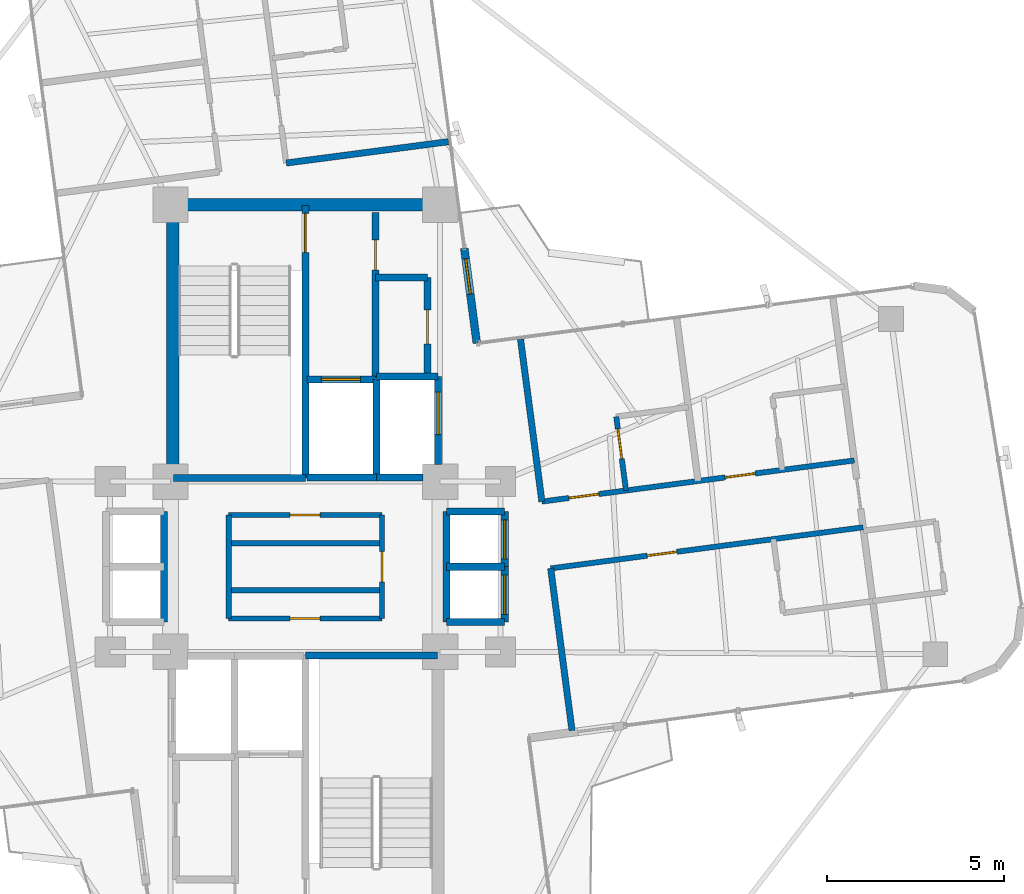
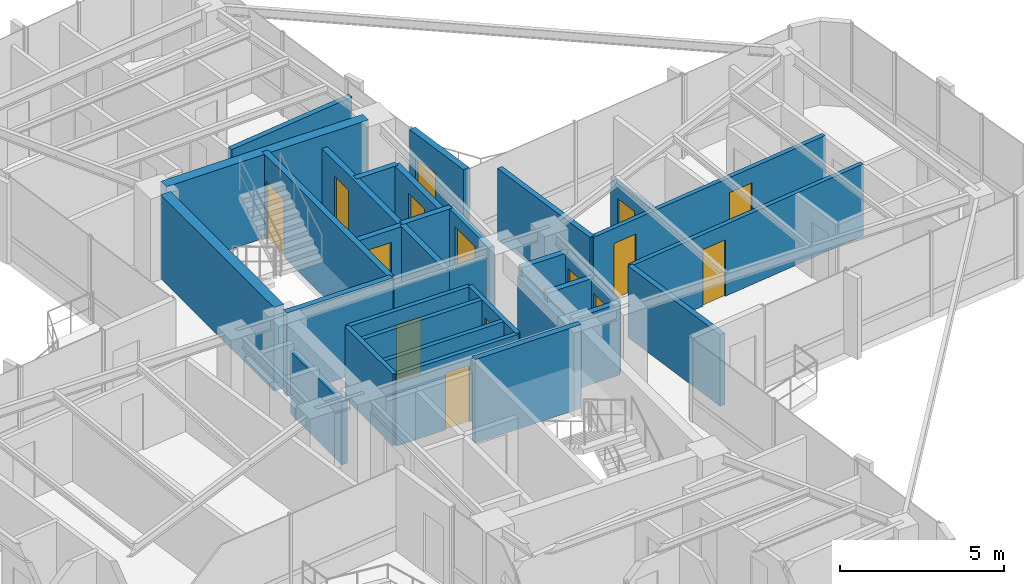
# One storey, part 20 of 22: 34 walls, 15 doors, 15 openings.
"""IFC4 building model written with IfcOpenShell, lengths in metres."""

from ifc_helpers import new_model, si_unit, direction, frame, frame_2d, origin, origin_2d, place, context, subcontext, project, spatial, rectangle, extrude, source, transform, mapped, material, layer, layer_set, type_object, element, fill, save


model = new_model("IFC4")

# Units and contexts
model_context = context("Model", 3, precision=1e-05, world=origin(), true_north=direction((0.0, 1.0)))
body_context = subcontext(model_context, "Body", "Model", "MODEL_VIEW")
ifc_project = project(units=[si_unit("LENGTHUNIT", "METRE"), si_unit("AREAUNIT", "SQUARE_METRE"), si_unit("VOLUMEUNIT", "CUBIC_METRE"), si_unit("PLANEANGLEUNIT", "RADIAN"), si_unit("MASSUNIT", "GRAM", prefix="KILO")], contexts=[model_context])

# Site, building, storey
site_placement = place(None, origin())
site = spatial("IfcSite", under=ifc_project, at=site_placement, CompositionType="ELEMENT")
building_placement = place(site_placement, origin())
building = spatial("IfcBuilding", under=site, at=building_placement, Name="Sahyath Konkavel Grand Hotel", CompositionType="ELEMENT")
storey_placement = place(building_placement, frame((0.0, 0.0, 247.85009765625)))
storey = spatial("IfcBuildingStorey", under=building, at=storey_placement, Name="L69", CompositionType="ELEMENT", Elevation=247.85009765625)

# Walls
ifc_material_1 = material(Name="Concrete C40/50", Category="concrete")
ifc_layer_1 = layer(ifc_material_1, 0.35009765625)
ifc_layer_set_1 = layer_set([ifc_layer_1], Name="Concrete C40/50")
wall_type_1 = type_object("IfcWallType", Name="CWALL-350", PredefinedType="SHEAR", material=ifc_layer_set_1)
wall_1_placement = place(storey_placement, frame((-3.550048828125, 10.199951171875, 0.0), z_axis=(0.0, 0.0, 1.0), x_axis=(1.0, 0.0, 0.0)))
element("IfcWall", 1, at=wall_1_placement, inside=storey, type_object=wall_type_1, Name="L69 North Core Shear Wall N", PredefinedType="SHEAR", context=body_context, shape_type="SweptSolid", body=[
    extrude(rectangle(XDim=7.10009765625, YDim=0.35009765625, at=frame_2d((3.550048828125, 0.0))), origin(), (0.0, 0.0, 1.0), 3.10986328125),
])
wall_2_placement = place(storey_placement, frame((-3.739990234375, 2.85009765625, 0.0), z_axis=(0.0, 0.0, 1.0), x_axis=(0.0, 1.0, 0.0)))
element("IfcWall", 2, at=wall_2_placement, inside=storey, type_object=wall_type_1, Name="L69 North Core Shear Wall W", PredefinedType="SHEAR", context=body_context, shape_type="SweptSolid", body=[
    extrude(rectangle(XDim=6.89990234375, YDim=0.35009765625, at=frame_2d((3.449951171875, 0.0))), origin(), (0.0, 0.0, 1.0), 3.10986328125),
])

# Wall, opening, door
ifc_material_2 = material(Name="Warm Buff Sandstone Insulated Concrete C40/50", Category="masonry")
ifc_layer_2 = layer(ifc_material_2, 0.219970703125)
ifc_layer_set_2 = layer_set([ifc_layer_2], Name="Warm Buff Sandstone Insulated Concrete C40/50")
wall_type_2 = type_object("IfcWallType", Name="WLL-BALC-THRESH", PredefinedType="STANDARD", material=ifc_layer_set_2)
wall_3_placement = place(storey_placement, frame((4.832275390625, 6.297607421875, 0.0), z_axis=(0.0, 0.0, 1.0), x_axis=(-0.130475563272, 0.991451525486, 0.0)))
wall_3 = element("IfcWall", 3, at=wall_3_placement, inside=storey, type_object=wall_type_2, Name="L69 Winter-Garden Threshold Wall 8", PredefinedType="STANDARD", context=body_context, shape_type="SweptSolid", body=[
    extrude(rectangle(XDim=2.7001953125, YDim=0.219970703125, at=frame_2d((1.35009765625, 0.0))), origin(), (0.0, 0.0, 1.0), 3.10986328125),
])
opening_1_placement = place(wall_3_placement, frame((1.39990234375, 0.0, 0.0)))
opening_1 = element("IfcOpeningElement", 4, at=opening_1_placement, cuts=wall_3, Name="Opening D-TR1", PredefinedType="OPENING", context=body_context, shape_type="SweptSolid", body=[
    extrude(rectangle(XDim=1.0, YDim=2.199951171875, at=frame_2d((0.5, 1.10009765625))), frame((0.0, 0.1201171875, 0.0), z_axis=(0.0, -1.0, 0.0), x_axis=(1.0, 0.0, 0.0)), (0.0, 0.0, 1.0), 0.239990234375),
])
ifc_material_3 = material(Name="Anodised Bronze Aluminium & Low-E Glazing", Category="aluminium")
door_type_1 = type_object("IfcDoorType", Name="DR-TERRACE-1000", OperationType="NOTDEFINED", PredefinedType="DOOR", material=ifc_material_3)
shared_shape_1 = source(origin(), body_context, "Body", "SweptSolid", [
    extrude(rectangle(XDim=1.0, YDim=0.050048828125, at=origin_2d()), origin(), (0.0, 0.0, 1.0), 2.199951171875),
])
door_1_placement = place(opening_1_placement, frame((0.5, 0.0, 0.0)))
door_1 = element("IfcDoor", 5, at=door_1_placement, inside=storey, type_object=door_type_1, Name="L69 Winter-Garden Terrace Door 8", OperationType="SINGLE_SWING_LEFT", OverallHeight=2.199951171875, OverallWidth=1.0, PredefinedType="DOOR", context=body_context, shape_type="MappedRepresentation", body=[
    mapped(shared_shape_1, transform((0.0, 0.0, 0.0), scale=1.0)),
])
fill(opening_1, door_1)

ifc_layer_3 = layer(ifc_material_1, 0.199951171875)
ifc_layer_set_3 = layer_set([ifc_layer_3], Name="Concrete C40/50")
wall_type_3 = type_object("IfcWallType", Name="WLL-CORE-200", PredefinedType="SOLIDWALL", material=ifc_layer_set_3)
wall_4_placement = place(storey_placement, frame((0.0, 2.5, 0.0), z_axis=(0.0, 0.0, 1.0), x_axis=(0.0, 1.0, 0.0)))
wall_4 = element("IfcWall", 6, at=wall_4_placement, inside=storey, type_object=wall_type_3, Name="L69 Stair ST-1 Shaft Wall E", PredefinedType="SOLIDWALL", context=body_context, shape_type="SweptSolid", body=[
    extrude(rectangle(XDim=7.679931640625, YDim=0.199951171875, at=frame_2d((3.83984375, 0.0))), origin(), (0.0, 0.0, 1.0), 3.10986328125),
])
opening_2_placement = place(wall_4_placement, frame((6.360107421875, 0.0, 0.0)))
opening_2 = element("IfcOpeningElement", 7, at=opening_2_placement, cuts=wall_4, Name="Opening D-F12B", PredefinedType="OPENING", context=body_context, shape_type="SweptSolid", body=[
    extrude(rectangle(XDim=1.10009765625, YDim=2.14990234375, at=frame_2d((0.550048828125, 1.074951171875))), frame((0.0, 0.10986328125, 0.0), z_axis=(0.0, -1.0, 0.0), x_axis=(1.0, 0.0, 0.0)), (0.0, 0.0, 1.0), 0.219970703125),
])
ifc_material_4 = material(Name="Steel E350 Smokeproof Fire Door", Category="steel")
door_type_2 = type_object("IfcDoorType", Name="DR-FD120-1100", OperationType="NOTDEFINED", PredefinedType="DOOR", material=ifc_material_4)
shared_shape_2 = source(origin(), body_context, "Body", "SweptSolid", [
    extrude(rectangle(XDim=1.10009765625, YDim=0.050048828125, at=origin_2d()), origin(), (0.0, 0.0, 1.0), 2.14990234375),
])
door_2_placement = place(opening_2_placement, frame((0.550048828125, 0.0, 0.0)))
door_2 = element("IfcDoor", 8, at=door_2_placement, inside=storey, type_object=door_type_2, Name="L69 Stair ST-1 Fire Door", OperationType="SINGLE_SWING_LEFT", OverallHeight=2.14990234375, OverallWidth=1.10009765625, PredefinedType="DOOR", context=body_context, shape_type="MappedRepresentation", body=[
    mapped(shared_shape_2, transform((0.0, 0.0, 0.0), scale=1.0)),
])
fill(opening_2, door_2)

# Walls
for number, where, z_axis, x_axis, name in (
    (9, (-3.719970703125, 2.5, 0.0), (0.0, 0.0, 1.0), (1.0, 0.0, 0.0), "L69 Stair ST-1 Shaft Wall S"),
    (10, (0.0, -2.5, 0.0), (0.0, 0.0, 1.0), (1.0, 0.0, 0.0), "L69 Stair ST-2 Shaft Wall N"),
):
    element("IfcWall", number, at=place(storey_placement, frame(where, z_axis=z_axis, x_axis=x_axis)), inside=storey, type_object=wall_type_3, Name=name, PredefinedType="SOLIDWALL", context=body_context, shape_type="SweptSolid", body=[
        extrude(rectangle(XDim=3.719970703125, YDim=0.199951171875, at=frame_2d((1.85986328125, 0.0))), origin(), (0.0, 0.0, 1.0), 3.10986328125),
    ])

# Wall, opening, door
wall_5_placement = place(storey_placement, frame((1.97998046875, 5.320068359375, 0.0), z_axis=(0.0, 0.0, 1.0), x_axis=(0.0, 1.0, 0.0)))
wall_5 = element("IfcWall", 11, at=wall_5_placement, inside=storey, type_object=wall_type_3, Name="L69 North Firefighting Lobby Wall E", PredefinedType="SOLIDWALL", context=body_context, shape_type="SweptSolid", body=[
    extrude(rectangle(XDim=4.659912109375, YDim=0.199951171875, at=frame_2d((2.330078125, 0.0))), origin(), (0.0, 0.0, 1.0), 2.659912109375),
])
opening_3_placement = place(wall_5_placement, frame((3.0400390625, 0.0, 0.0)))
opening_3 = element("IfcOpeningElement", 12, at=opening_3_placement, cuts=wall_5, Name="Opening D-F12D", PredefinedType="OPENING", context=body_context, shape_type="SweptSolid", body=[
    extrude(rectangle(XDim=0.85009765625, YDim=2.10009765625, at=frame_2d((0.425048828125, 1.050048828125))), frame((0.0, 0.10986328125, 0.0), z_axis=(0.0, -1.0, 0.0), x_axis=(1.0, 0.0, 0.0)), (0.0, 0.0, 1.0), 0.219970703125),
])
ifc_material_5 = material(Name="Steel E350 Core Fire Door", Category="steel")
door_type_3 = type_object("IfcDoorType", Name="DR-FD120-850", OperationType="NOTDEFINED", PredefinedType="DOOR", material=ifc_material_5)
shared_shape_3 = source(origin(), body_context, "Body", "SweptSolid", [
    extrude(rectangle(XDim=0.85009765625, YDim=0.050048828125, at=origin_2d()), origin(), (0.0, 0.0, 1.0), 2.10009765625),
])
door_3_placement = place(opening_3_placement, frame((0.425048828125, 0.0, 0.0)))
door_3 = element("IfcDoor", 13, at=door_3_placement, inside=storey, type_object=door_type_3, Name="L69 North Firefighting Lobby Door", OperationType="SINGLE_SWING_LEFT", OverallHeight=2.10009765625, OverallWidth=0.85009765625, PredefinedType="DOOR", context=body_context, shape_type="MappedRepresentation", body=[
    mapped(shared_shape_3, transform((0.0, 0.0, 0.0), scale=1.0)),
])
fill(opening_3, door_3)

# Walls
wall_6_placement = place(storey_placement, frame((2.0, 2.5, 0.0), z_axis=(0.0, 0.0, 1.0), x_axis=(0.0, 1.0, 0.0)))
element("IfcWall", 14, at=wall_6_placement, inside=storey, type_object=wall_type_3, Name="L69 Partition SH-FFL1-E", PredefinedType="SOLIDWALL", context=body_context, shape_type="SweptSolid", body=[
    extrude(rectangle(XDim=2.780029296875, YDim=0.199951171875, at=frame_2d((1.39013671875, 0.0))), origin(), (0.0, 0.0, 1.0), 2.659912109375),
])
wall_7_placement = place(storey_placement, frame((0.050048828125, 2.52001953125, 0.0), z_axis=(0.0, 0.0, 1.0), x_axis=(1.0, 0.0, 0.0)))
element("IfcWall", 15, at=wall_7_placement, inside=storey, type_object=wall_type_3, Name="L69 Partition SH-FFL1-S", PredefinedType="SOLIDWALL", context=body_context, shape_type="SweptSolid", body=[
    extrude(rectangle(XDim=1.949951171875, YDim=0.199951171875, at=frame_2d((0.97509765625, 0.0))), origin(), (0.0, 0.0, 1.0), 2.659912109375),
])

# Wall, opening, door
wall_8_placement = place(storey_placement, frame((0.050048828125, 5.280029296875, 0.0), z_axis=(0.0, 0.0, 1.0), x_axis=(1.0, 0.0, 0.0)))
wall_8 = element("IfcWall", 16, at=wall_8_placement, inside=storey, type_object=wall_type_3, Name="L69 Partition SH-FFL1-N", PredefinedType="SOLIDWALL", context=body_context, shape_type="SweptSolid", body=[
    extrude(rectangle(XDim=1.929931640625, YDim=0.199951171875, at=frame_2d((0.96484375, 0.0))), origin(), (0.0, 0.0, 1.0), 2.659912109375),
])
opening_4_placement = place(wall_8_placement, frame((0.39990234375, 0.0, 0.0)))
opening_4 = element("IfcOpeningElement", 17, at=opening_4_placement, cuts=wall_8, Name="Opening LD-11", PredefinedType="OPENING", context=body_context, shape_type="SweptSolid", body=[
    extrude(rectangle(XDim=1.10009765625, YDim=2.199951171875, at=frame_2d((0.550048828125, 1.10009765625))), frame((0.0, 0.10986328125, 0.0), z_axis=(0.0, -1.0, 0.0), x_axis=(1.0, 0.0, 0.0)), (0.0, 0.0, 1.0), 0.219970703125),
])
ifc_material_6 = material(Name="Bronze Lift Landing Door 1100")
door_type_4 = type_object("IfcDoorType", Name="DR-LIFT-1100", OperationType="DOUBLE_DOOR_SLIDING", PredefinedType="DOOR", material=ifc_material_6)
shared_shape_4 = source(origin(), body_context, "Body", "SweptSolid", [
    extrude(rectangle(XDim=1.10009765625, YDim=0.050048828125, at=origin_2d()), origin(), (0.0, 0.0, 1.0), 2.199951171875),
])
door_4_placement = place(opening_4_placement, frame((0.550048828125, 0.0, 0.0)))
door_4 = element("IfcDoor", 18, at=door_4_placement, inside=storey, type_object=door_type_4, Name="L69 Lift FFL-1 Landing Door", OperationType="DOUBLE_DOOR_SLIDING", OverallHeight=2.199951171875, OverallWidth=1.10009765625, PredefinedType="DOOR", context=body_context, shape_type="MappedRepresentation", body=[
    mapped(shared_shape_4, transform((0.0, 0.0, 0.0), scale=1.0)),
])
fill(opening_4, door_4)

# Walls
wall_9_placement = place(storey_placement, frame((2.0, 2.52001953125, 0.0), z_axis=(0.0, 0.0, 1.0), x_axis=(1.0, 0.0, 0.0)))
element("IfcWall", 19, at=wall_9_placement, inside=storey, type_object=wall_type_3, Name="L69 Partition SH-SVL1-S", PredefinedType="SOLIDWALL", context=body_context, shape_type="SweptSolid", body=[
    extrude(rectangle(XDim=1.320068359375, YDim=0.199951171875, at=frame_2d((0.66015625, 0.0))), origin(), (0.0, 0.0, 1.0), 2.659912109375),
])
wall_10_placement = place(storey_placement, frame((2.0, 5.360107421875, 0.0), z_axis=(0.0, 0.0, 1.0), x_axis=(1.0, 0.0, 0.0)))
element("IfcWall", 20, at=wall_10_placement, inside=storey, type_object=wall_type_3, Name="L69 Partition SH-SVL1-N", PredefinedType="SOLIDWALL", context=body_context, shape_type="SweptSolid", body=[
    extrude(rectangle(XDim=1.739990234375, YDim=0.199951171875, at=frame_2d((0.8701171875, 0.0))), origin(), (0.0, 0.0, 1.0), 2.659912109375),
])

# Wall, opening, door
wall_11_placement = place(storey_placement, frame((3.739990234375, 2.8798828125, 0.0), z_axis=(0.0, 0.0, 1.0), x_axis=(0.0, 1.0, 0.0)))
wall_11 = element("IfcWall", 21, at=wall_11_placement, inside=storey, type_object=wall_type_3, Name="L69 Partition SH-SVL1-E", PredefinedType="SOLIDWALL", context=body_context, shape_type="SweptSolid", body=[
    extrude(rectangle(XDim=2.480224609375, YDim=0.199951171875, at=frame_2d((1.240234375, 0.0))), origin(), (0.0, 0.0, 1.0), 2.659912109375),
])
opening_5_placement = place(wall_11_placement, frame((0.840087890625, 0.0, 0.0)))
opening_5 = element("IfcOpeningElement", 22, at=opening_5_placement, cuts=wall_11, Name="Opening LD-12", PredefinedType="OPENING", context=body_context, shape_type="SweptSolid", body=[
    extrude(rectangle(XDim=1.199951171875, YDim=2.199951171875, at=frame_2d((0.60009765625, 1.10009765625))), frame((0.0, 0.10986328125, 0.0), z_axis=(0.0, -1.0, 0.0), x_axis=(1.0, 0.0, 0.0)), (0.0, 0.0, 1.0), 0.219970703125),
])
ifc_material_7 = material(Name="Stainless Steel Lift Landing Door 1200", Category="steel")
door_type_5 = type_object("IfcDoorType", Name="DR-LIFT-1200", OperationType="DOUBLE_DOOR_SLIDING", PredefinedType="DOOR", material=ifc_material_7)
shared_shape_5 = source(origin(), body_context, "Body", "SweptSolid", [
    extrude(rectangle(XDim=1.199951171875, YDim=0.050048828125, at=origin_2d()), origin(), (0.0, 0.0, 1.0), 2.199951171875),
])
door_5_placement = place(opening_5_placement, frame((0.60009765625, 0.0, 0.0)))
door_5 = element("IfcDoor", 23, at=door_5_placement, inside=storey, type_object=door_type_5, Name="L69 Service Lift SVL-1 Landing Door", OperationType="DOUBLE_DOOR_SLIDING", OverallHeight=2.199951171875, OverallWidth=1.199951171875, PredefinedType="DOOR", context=body_context, shape_type="MappedRepresentation", body=[
    mapped(shared_shape_5, transform((0.0, 0.0, 0.0), scale=1.0)),
])
fill(opening_5, door_5)

# Walls
wall_12_placement = place(storey_placement, frame((3.97998046875, -1.56005859375, 0.0), z_axis=(0.0, 0.0, 1.0), x_axis=(0.0, 1.0, 0.0)))
element("IfcWall", 24, at=wall_12_placement, inside=storey, type_object=wall_type_3, Name="L69 Partition SH-PL56-W", PredefinedType="SOLIDWALL", context=body_context, shape_type="SweptSolid", body=[
    extrude(rectangle(XDim=3.1201171875, YDim=0.199951171875, at=frame_2d((1.56005859375, 0.0))), origin(), (0.0, 0.0, 1.0), 2.329833984375),
])
for number, where, z_axis, x_axis, name in (
    (25, (3.97998046875, 1.56005859375, 0.0), (0.0, 0.0, 1.0), (1.0, 0.0, 0.0), "L69 Partition SH-PL56-N"),
    (26, (3.97998046875, -1.56005859375, 0.0), (0.0, 0.0, 1.0), (1.0, 0.0, 0.0), "L69 Partition SH-PL56-S"),
    (27, (3.97998046875, 0.0, 0.0), (0.0, 0.0, 1.0), (1.0, 0.0, 0.0), "L69 Partition SH-PL56-M"),
):
    element("IfcWall", number, at=place(storey_placement, frame(where, z_axis=z_axis, x_axis=x_axis)), inside=storey, type_object=wall_type_3, Name=name, PredefinedType="SOLIDWALL", context=body_context, shape_type="SweptSolid", body=[
        extrude(rectangle(XDim=1.64013671875, YDim=0.199951171875, at=frame_2d((0.820068359375, 0.0))), origin(), (0.0, 0.0, 1.0), 2.659912109375),
    ])

# Wall, opening, door
wall_13_placement = place(storey_placement, frame((5.6201171875, 0.0, 0.0), z_axis=(0.0, 0.0, 1.0), x_axis=(0.0, 1.0, 0.0)))
wall_13 = element("IfcWall", 28, at=wall_13_placement, inside=storey, type_object=wall_type_3, Name="L69 Partition SH-PL5-E", PredefinedType="SOLIDWALL", context=body_context, shape_type="SweptSolid", body=[
    extrude(rectangle(XDim=1.56005859375, YDim=0.199951171875, at=frame_2d((0.780029296875, 0.0))), origin(), (0.0, 0.0, 1.0), 2.659912109375),
])
opening_6_placement = place(wall_13_placement, frame((0.219970703125, 0.0, 0.0)))
opening_6 = element("IfcOpeningElement", 29, at=opening_6_placement, cuts=wall_13, Name="Opening LD-11", PredefinedType="OPENING", context=body_context, shape_type="SweptSolid", body=[
    extrude(rectangle(XDim=1.10009765625, YDim=2.199951171875, at=frame_2d((0.550048828125, 1.10009765625))), frame((0.0, 0.10986328125, 0.0), z_axis=(0.0, -1.0, 0.0), x_axis=(1.0, 0.0, 0.0)), (0.0, 0.0, 1.0), 0.219970703125),
])
door_6_placement = place(opening_6_placement, frame((0.550048828125, 0.0, 0.0)))
door_6 = element("IfcDoor", 30, at=door_6_placement, inside=storey, type_object=door_type_4, Name="L69 High-Rise Lift PL-5 Landing Door", OperationType="DOUBLE_DOOR_SLIDING", OverallHeight=2.199951171875, OverallWidth=1.10009765625, PredefinedType="DOOR", context=body_context, shape_type="MappedRepresentation", body=[
    mapped(shared_shape_4, transform((0.0, 0.0, 0.0), scale=1.0)),
])
fill(opening_6, door_6)

wall_14_placement = place(storey_placement, frame((5.6201171875, -1.56005859375, 0.0), z_axis=(0.0, 0.0, 1.0), x_axis=(0.0, 1.0, 0.0)))
wall_14 = element("IfcWall", 31, at=wall_14_placement, inside=storey, type_object=wall_type_3, Name="L69 Partition SH-PL6-E", PredefinedType="SOLIDWALL", context=body_context, shape_type="SweptSolid", body=[
    extrude(rectangle(XDim=1.56005859375, YDim=0.199951171875, at=frame_2d((0.780029296875, 0.0))), origin(), (0.0, 0.0, 1.0), 2.659912109375),
])
opening_7_placement = place(wall_14_placement, frame((0.219970703125, 0.0, 0.0)))
opening_7 = element("IfcOpeningElement", 32, at=opening_7_placement, cuts=wall_14, Name="Opening LD-11", PredefinedType="OPENING", context=body_context, shape_type="SweptSolid", body=[
    extrude(rectangle(XDim=1.10009765625, YDim=2.199951171875, at=frame_2d((0.550048828125, 1.10009765625))), frame((0.0, 0.10986328125, 0.0), z_axis=(0.0, -1.0, 0.0), x_axis=(1.0, 0.0, 0.0)), (0.0, 0.0, 1.0), 0.219970703125),
])
door_7_placement = place(opening_7_placement, frame((0.550048828125, 0.0, 0.0)))
door_7 = element("IfcDoor", 33, at=door_7_placement, inside=storey, type_object=door_type_4, Name="L69 High-Rise Lift PL-6 Landing Door", OperationType="DOUBLE_DOOR_SLIDING", OverallHeight=2.199951171875, OverallWidth=1.10009765625, PredefinedType="DOOR", context=body_context, shape_type="MappedRepresentation", body=[
    mapped(shared_shape_4, transform((0.0, 0.0, 0.0), scale=1.0)),
])
fill(opening_7, door_7)

# Wall
wall_15_placement = place(storey_placement, frame((-3.97998046875, -1.56005859375, 0.0), z_axis=(0.0, 0.0, 1.0), x_axis=(0.0, 1.0, 0.0)))
element("IfcWall", 34, at=wall_15_placement, inside=storey, type_object=wall_type_3, Name="L69 Partition SH-SL12-E", PredefinedType="SOLIDWALL", context=body_context, shape_type="SweptSolid", body=[
    extrude(rectangle(XDim=3.1201171875, YDim=0.199951171875, at=frame_2d((1.56005859375, 0.0))), origin(), (0.0, 0.0, 1.0), 2.329833984375),
])

# Wall, opening, door
wall_16_placement = place(storey_placement, frame((3.43994140625, 5.3798828125, 0.0), z_axis=(0.0, 0.0, 1.0), x_axis=(0.0, 1.0, 0.0)))
wall_16 = element("IfcWall", 35, at=wall_16_placement, inside=storey, type_object=wall_type_3, Name="L69 Reclaimed North Core Wall E", PredefinedType="SOLIDWALL", context=body_context, shape_type="SweptSolid", body=[
    extrude(rectangle(XDim=2.77001953125, YDim=0.199951171875, at=frame_2d((1.385009765625, 0.0))), origin(), (0.0, 0.0, 1.0), 2.659912109375),
])
opening_8_placement = place(wall_16_placement, frame((0.89990234375, 0.0, 0.0)))
opening_8 = element("IfcOpeningElement", 36, at=opening_8_placement, cuts=wall_16, Name="Opening D-F06B", PredefinedType="OPENING", context=body_context, shape_type="SweptSolid", body=[
    extrude(rectangle(XDim=0.949951171875, YDim=2.14990234375, at=frame_2d((0.47509765625, 1.074951171875))), frame((0.0, 0.10986328125, 0.0), z_axis=(0.0, -1.0, 0.0), x_axis=(1.0, 0.0, 0.0)), (0.0, 0.0, 1.0), 0.219970703125),
])
ifc_material_8 = material(Name="Teak Veneer Fire-Rated Guest Entrance Door")
door_type_6 = type_object("IfcDoorType", Name="DR-FD60-950", OperationType="NOTDEFINED", PredefinedType="DOOR", material=ifc_material_8)
shared_shape_6 = source(origin(), body_context, "Body", "SweptSolid", [
    extrude(rectangle(XDim=0.949951171875, YDim=0.050048828125, at=origin_2d()), origin(), (0.0, 0.0, 1.0), 2.14990234375),
])
door_8_placement = place(opening_8_placement, frame((0.47509765625, 0.0, 0.0)))
door_8 = element("IfcDoor", 37, at=door_8_placement, inside=storey, type_object=door_type_6, Name="L69 Door NC-REC1-D", OperationType="SINGLE_SWING_LEFT", OverallHeight=2.14990234375, OverallWidth=0.949951171875, PredefinedType="DOOR", context=body_context, shape_type="MappedRepresentation", body=[
    mapped(shared_shape_6, transform((0.0, 0.0, 0.0), scale=1.0)),
])
fill(opening_8, door_8)

# Walls
wall_17_placement = place(storey_placement, frame((1.97998046875, 8.14990234375, 0.0), z_axis=(0.0, 0.0, 1.0), x_axis=(1.0, 0.0, 0.0)))
element("IfcWall", 38, at=wall_17_placement, inside=storey, type_object=wall_type_3, Name="L69 Partition NC-REC-N", PredefinedType="SOLIDWALL", context=body_context, shape_type="SweptSolid", body=[
    extrude(rectangle(XDim=1.4599609375, YDim=0.199951171875, at=frame_2d((0.72998046875, 0.0))), origin(), (0.0, 0.0, 1.0), 2.659912109375),
])
ifc_material_9 = material(Name="Twin-Stud Acoustic Gypsum Plasterboard Partition")
ifc_layer_4 = layer(ifc_material_9, 0.179931640625)
ifc_layer_set_4 = layer_set([ifc_layer_4], Name="Twin-Stud Acoustic Gypsum Plasterboard Partition")
wall_type_4 = type_object("IfcWallType", Name="WLL-DEMISE-180", PredefinedType="PARTITIONING", material=ifc_layer_set_4)
for number, where, z_axis, x_axis, name in (
    (39, (6.66748046875, 1.8359375, 0.0), (0.0, 0.0, 1.0), (-0.130565405179, 0.991439698101, 0.0), "L69 Partition E-INL"),
    (40, (7.517578125, -4.621337890625, 0.0), (0.0, 0.0, 1.0), (-0.130565405179, 0.991439698101, 0.0), "L69 Partition E-INR"),
    (41, (4.033935546875, 11.97900390625, 0.0), (0.0, 0.0, 1.0), (-0.991446547774, -0.130513382096, 0.0), "L69 Partition N-INR"),
):
    element("IfcWall", number, at=place(storey_placement, frame(where, z_axis=z_axis, x_axis=x_axis)), inside=storey, type_object=wall_type_4, Name=name, PredefinedType="PARTITIONING", context=body_context, shape_type="SweptSolid", body=[
        extrude(rectangle(XDim=4.613037109375, YDim=0.179931640625, at=frame_2d((2.306640625, 0.0))), origin(), (0.0, 0.0, 1.0), 2.659912109375),
    ])

# Wall, opening, door
ifc_material_10 = material(Name="Fire-Rated Gypsum Plasterboard Partition")
ifc_layer_5 = layer(ifc_material_10, 0.14990234375)
ifc_layer_set_5 = layer_set([ifc_layer_5], Name="Fire-Rated Gypsum Plasterboard Partition")
wall_type_5 = type_object("IfcWallType", Name="WLL-PART-150", PredefinedType="PARTITIONING", material=ifc_layer_set_5)
wall_18_placement = place(storey_placement, frame((2.159912109375, -1.4599609375, 0.0), z_axis=(0.0, 0.0, 1.0), x_axis=(0.0, 1.0, 0.0)))
wall_18 = element("IfcWall", 42, at=wall_18_placement, inside=storey, type_object=wall_type_5, Name="L69 Partition CC-2E", PredefinedType="PARTITIONING", context=body_context, shape_type="SweptSolid", body=[
    extrude(rectangle(XDim=2.919921875, YDim=0.14990234375, at=frame_2d((1.4599609375, 0.0))), origin(), (0.0, 0.0, 1.0), 2.659912109375),
])
opening_9_placement = place(wall_18_placement, frame((1.034912109375, 0.0, 0.0)))
opening_9 = element("IfcOpeningElement", 43, at=opening_9_placement, cuts=wall_18, Name="Opening D-F06D", PredefinedType="OPENING", context=body_context, shape_type="SweptSolid", body=[
    extrude(rectangle(XDim=0.85009765625, YDim=2.10009765625, at=frame_2d((0.425048828125, 1.050048828125))), frame((0.0, 0.0849609375, 0.0), z_axis=(0.0, -1.0, 0.0), x_axis=(1.0, 0.0, 0.0)), (0.0, 0.0, 1.0), 0.169921875),
])
ifc_material_11 = material(Name="Fire-Rated Shaft Access Door")
door_type_7 = type_object("IfcDoorType", Name="DR-FD60-850", OperationType="NOTDEFINED", PredefinedType="DOOR", material=ifc_material_11)
door_9_placement = place(opening_9_placement, frame((0.425048828125, 0.0, 0.0)))
door_9 = element("IfcDoor", 44, at=door_9_placement, inside=storey, type_object=door_type_7, Name="L69 Door CC-D2B", OperationType="SINGLE_SWING_RIGHT", OverallHeight=2.10009765625, OverallWidth=0.85009765625, PredefinedType="DOOR", context=body_context, shape_type="MappedRepresentation", body=[
    mapped(shared_shape_3, transform((0.0, 0.0, 0.0), scale=1.0)),
])
fill(opening_9, door_9)

# Wall
wall_19_placement = place(storey_placement, frame((-2.159912109375, -1.4599609375, 0.0), z_axis=(0.0, 0.0, 1.0), x_axis=(0.0, 1.0, 0.0)))
element("IfcWall", 45, at=wall_19_placement, inside=storey, type_object=wall_type_5, Name="L69 Partition CC-2W", PredefinedType="PARTITIONING", context=body_context, shape_type="SweptSolid", body=[
    extrude(rectangle(XDim=2.919921875, YDim=0.14990234375, at=frame_2d((1.4599609375, 0.0))), origin(), (0.0, 0.0, 1.0), 2.659912109375),
])

# Wall, opening, door
wall_20_placement = place(storey_placement, frame((-2.159912109375, 1.4599609375, 0.0), z_axis=(0.0, 0.0, 1.0), x_axis=(1.0, 0.0, 0.0)))
wall_20 = element("IfcWall", 46, at=wall_20_placement, inside=storey, type_object=wall_type_5, Name="L69 Partition CC-2N", PredefinedType="PARTITIONING", context=body_context, shape_type="SweptSolid", body=[
    extrude(rectangle(XDim=4.31982421875, YDim=0.14990234375, at=frame_2d((2.159912109375, 0.0))), origin(), (0.0, 0.0, 1.0), 2.659912109375),
])
opening_10_placement = place(wall_20_placement, frame((1.72998046875, 0.0, 0.0)))
opening_10 = element("IfcOpeningElement", 47, at=opening_10_placement, cuts=wall_20, Name="Opening D-F06D", PredefinedType="OPENING", context=body_context, shape_type="SweptSolid", body=[
    extrude(rectangle(XDim=0.85009765625, YDim=2.10009765625, at=frame_2d((0.425048828125, 1.050048828125))), frame((0.0, 0.0849609375, 0.0), z_axis=(0.0, -1.0, 0.0), x_axis=(1.0, 0.0, 0.0)), (0.0, 0.0, 1.0), 0.169921875),
])
door_10_placement = place(opening_10_placement, frame((0.425048828125, 0.0, 0.0)))
door_10 = element("IfcDoor", 48, at=door_10_placement, inside=storey, type_object=door_type_7, Name="L69 Door CC-D2A", OperationType="SINGLE_SWING_LEFT", OverallHeight=2.10009765625, OverallWidth=0.85009765625, PredefinedType="DOOR", context=body_context, shape_type="MappedRepresentation", body=[
    mapped(shared_shape_3, transform((0.0, 0.0, 0.0), scale=1.0)),
])
fill(opening_10, door_10)

wall_21_placement = place(storey_placement, frame((-2.159912109375, -1.4599609375, 0.0), z_axis=(0.0, 0.0, 1.0), x_axis=(1.0, 0.0, 0.0)))
wall_21 = element("IfcWall", 49, at=wall_21_placement, inside=storey, type_object=wall_type_5, Name="L69 Partition CC-2S", PredefinedType="PARTITIONING", context=body_context, shape_type="SweptSolid", body=[
    extrude(rectangle(XDim=4.31982421875, YDim=0.14990234375, at=frame_2d((2.159912109375, 0.0))), origin(), (0.0, 0.0, 1.0), 2.659912109375),
])
opening_11_placement = place(wall_21_placement, frame((1.72998046875, 0.0, 0.0)))
opening_11 = element("IfcOpeningElement", 50, at=opening_11_placement, cuts=wall_21, Name="Opening D-F06D", PredefinedType="OPENING", context=body_context, shape_type="SweptSolid", body=[
    extrude(rectangle(XDim=0.85009765625, YDim=2.10009765625, at=frame_2d((0.425048828125, 1.050048828125))), frame((0.0, 0.0849609375, 0.0), z_axis=(0.0, -1.0, 0.0), x_axis=(1.0, 0.0, 0.0)), (0.0, 0.0, 1.0), 0.169921875),
])
door_11_placement = place(opening_11_placement, frame((0.425048828125, 0.0, 0.0)))
door_11 = element("IfcDoor", 51, at=door_11_placement, inside=storey, type_object=door_type_7, Name="L69 Door CC-D2C", OperationType="SINGLE_SWING_LEFT", OverallHeight=2.10009765625, OverallWidth=0.85009765625, PredefinedType="DOOR", context=body_context, shape_type="MappedRepresentation", body=[
    mapped(shared_shape_3, transform((0.0, 0.0, 0.0), scale=1.0)),
])
fill(opening_11, door_11)

# Walls
for number, where, z_axis, x_axis, name in (
    (52, (-2.159912109375, 0.659912109375, 0.0), (0.0, 0.0, 1.0), (1.0, 0.0, 0.0), "L69 Partition CC-2M1"),
    (53, (-2.159912109375, -0.659912109375, 0.0), (0.0, 0.0, 1.0), (1.0, 0.0, 0.0), "L69 Partition CC-2M2"),
):
    element("IfcWall", number, at=place(storey_placement, frame(where, z_axis=z_axis, x_axis=x_axis)), inside=storey, type_object=wall_type_5, Name=name, PredefinedType="PARTITIONING", context=body_context, shape_type="SweptSolid", body=[
        extrude(rectangle(XDim=4.31982421875, YDim=0.14990234375, at=frame_2d((2.159912109375, 0.0))), origin(), (0.0, 0.0, 1.0), 2.659912109375),
    ])

# Wall, openings, doors
wall_22_placement = place(storey_placement, frame((6.66748046875, 1.8359375, 0.0), z_axis=(0.0, 0.0, 1.0), x_axis=(0.991443156033, 0.130539144917, 0.0)))
wall_22 = element("IfcWall", 54, at=wall_22_placement, inside=storey, type_object=wall_type_5, Name="L69 Partition E-CL", PredefinedType="PARTITIONING", context=body_context, shape_type="SweptSolid", body=[
    extrude(rectangle(XDim=8.8798828125, YDim=0.14990234375, at=frame_2d((4.43994140625, 0.0))), origin(), (0.0, 0.0, 1.0), 2.659912109375),
])
opening_12_placement = place(wall_22_placement, frame((0.77001953125, 0.0, 0.0)))
opening_12 = element("IfcOpeningElement", 55, at=opening_12_placement, cuts=wall_22, Name="Opening D-F06D", PredefinedType="OPENING", context=body_context, shape_type="SweptSolid", body=[
    extrude(rectangle(XDim=0.85009765625, YDim=2.10009765625, at=frame_2d((0.425048828125, 1.050048828125))), frame((0.0, 0.0849609375, 0.0), z_axis=(0.0, -1.0, 0.0), x_axis=(1.0, 0.0, 0.0)), (0.0, 0.0, 1.0), 0.169921875),
])
opening_13_placement = place(wall_22_placement, frame((5.2099609375, 0.0, 0.0)))
opening_13 = element("IfcOpeningElement", 56, at=opening_13_placement, cuts=wall_22, Name="Opening D-F06D", PredefinedType="OPENING", context=body_context, shape_type="SweptSolid", body=[
    extrude(rectangle(XDim=0.85009765625, YDim=2.10009765625, at=frame_2d((0.425048828125, 1.050048828125))), frame((0.0, 0.0849609375, 0.0), z_axis=(0.0, -1.0, 0.0), x_axis=(1.0, 0.0, 0.0)), (0.0, 0.0, 1.0), 0.169921875),
])
door_12_placement = place(opening_12_placement, frame((0.425048828125, 0.0, 0.0)))
door_12 = element("IfcDoor", 57, at=door_12_placement, inside=storey, type_object=door_type_7, Name="L69 Door E-E4L1-ED", OperationType="SINGLE_SWING_LEFT", OverallHeight=2.10009765625, OverallWidth=0.85009765625, PredefinedType="DOOR", context=body_context, shape_type="MappedRepresentation", body=[
    mapped(shared_shape_3, transform((0.0, 0.0, 0.0), scale=1.0)),
])
fill(opening_12, door_12)
door_13_placement = place(opening_13_placement, frame((0.425048828125, 0.0, 0.0)))
door_13 = element("IfcDoor", 58, at=door_13_placement, inside=storey, type_object=door_type_7, Name="L69 Door E-E4L2-ED", OperationType="SINGLE_SWING_LEFT", OverallHeight=2.10009765625, OverallWidth=0.85009765625, PredefinedType="DOOR", context=body_context, shape_type="MappedRepresentation", body=[
    mapped(shared_shape_3, transform((0.0, 0.0, 0.0), scale=1.0)),
])
fill(opening_13, door_13)

# Wall, opening, door
wall_23_placement = place(storey_placement, frame((6.915283203125, -0.0478515625, 0.0), z_axis=(0.0, 0.0, 1.0), x_axis=(0.991443624516, 0.130535586745, 0.0)))
wall_23 = element("IfcWall", 59, at=wall_23_placement, inside=storey, type_object=wall_type_5, Name="L69 Partition E-CR", PredefinedType="PARTITIONING", context=body_context, shape_type="SweptSolid", body=[
    extrude(rectangle(XDim=8.880126953125, YDim=0.14990234375, at=frame_2d((4.43994140625, 0.0))), origin(), (0.0, 0.0, 1.0), 2.659912109375),
])
opening_14_placement = place(wall_23_placement, frame((2.739990234375, 0.0, 0.0)))
opening_14 = element("IfcOpeningElement", 60, at=opening_14_placement, cuts=wall_23, Name="Opening D-F06D", PredefinedType="OPENING", context=body_context, shape_type="SweptSolid", body=[
    extrude(rectangle(XDim=0.85009765625, YDim=2.10009765625, at=frame_2d((0.425048828125, 1.050048828125))), frame((0.0, 0.0849609375, 0.0), z_axis=(0.0, -1.0, 0.0), x_axis=(1.0, 0.0, 0.0)), (0.0, 0.0, 1.0), 0.169921875),
])
door_14_placement = place(opening_14_placement, frame((0.425048828125, 0.0, 0.0)))
door_14 = element("IfcDoor", 61, at=door_14_placement, inside=storey, type_object=door_type_7, Name="L69 Door E-E4R1-ED", OperationType="SINGLE_SWING_LEFT", OverallHeight=2.10009765625, OverallWidth=0.85009765625, PredefinedType="DOOR", context=body_context, shape_type="MappedRepresentation", body=[
    mapped(shared_shape_3, transform((0.0, 0.0, 0.0), scale=1.0)),
])
fill(opening_14, door_14)

wall_24_placement = place(storey_placement, frame((9.037109375, 2.14794921875, 0.0), z_axis=(0.0, 0.0, 1.0), x_axis=(-0.130671034095, 0.991425781816, 0.0)))
wall_24 = element("IfcWall", 62, at=wall_24_placement, inside=storey, type_object=wall_type_5, Name="L69 Partition E-E4L1-BS", PredefinedType="PARTITIONING", context=body_context, shape_type="SweptSolid", body=[
    extrude(rectangle(XDim=2.10009765625, YDim=0.14990234375, at=frame_2d((1.050048828125, 0.0))), origin(), (0.0, 0.0, 1.0), 2.659912109375),
])
opening_15_placement = place(wall_24_placement, frame((0.89990234375, 0.0, 0.0)))
opening_15 = element("IfcOpeningElement", 63, at=opening_15_placement, cuts=wall_24, Name="Opening D-BT85", PredefinedType="OPENING", context=body_context, shape_type="SweptSolid", body=[
    extrude(rectangle(XDim=0.85009765625, YDim=2.10009765625, at=frame_2d((0.425048828125, 1.050048828125))), frame((0.0, 0.0849609375, 0.0), z_axis=(0.0, -1.0, 0.0), x_axis=(1.0, 0.0, 0.0)), (0.0, 0.0, 1.0), 0.169921875),
])
ifc_material_12 = material(Name="Moisture-Resistant Teak Bathroom Door")
door_type_8 = type_object("IfcDoorType", Name="DR-BATH-850", OperationType="NOTDEFINED", PredefinedType="DOOR", material=ifc_material_12)
door_15_placement = place(opening_15_placement, frame((0.425048828125, 0.0, 0.0)))
door_15 = element("IfcDoor", 64, at=door_15_placement, inside=storey, type_object=door_type_8, Name="L69 Door E-E4L1-BD", OperationType="SINGLE_SWING_RIGHT", OverallHeight=2.10009765625, OverallWidth=0.85009765625, PredefinedType="DOOR", context=body_context, shape_type="MappedRepresentation", body=[
    mapped(shared_shape_3, transform((0.0, 0.0, 0.0), scale=1.0)),
])
fill(opening_15, door_15)

save(model, "model.ifc")
